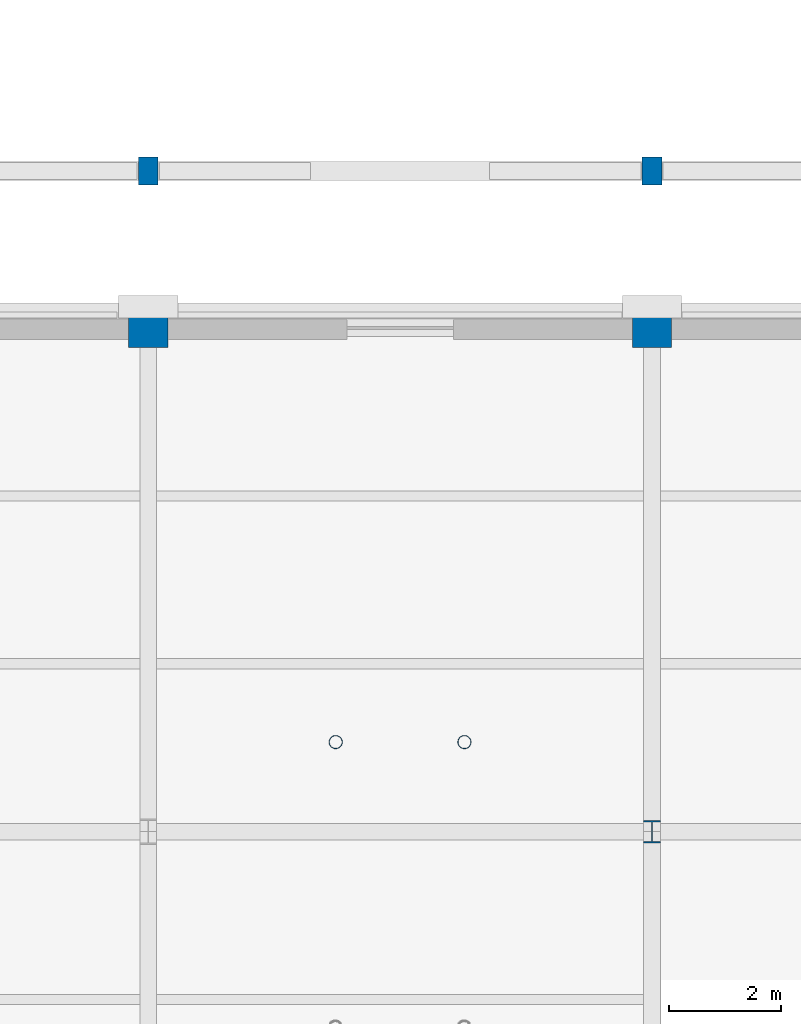
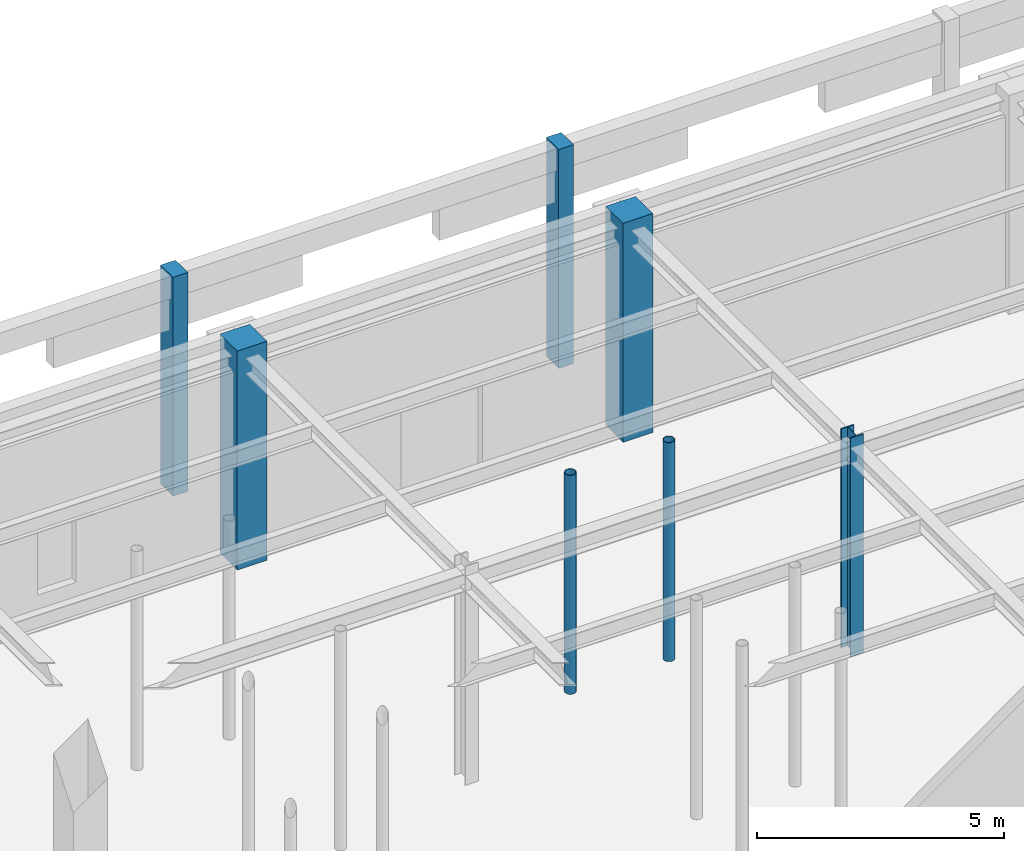
# One storey, part 10 of 77: 7 columns.
"""IFC4 building model written with IfcOpenShell, lengths in metres."""

from ifc_helpers import new_model, si_unit, direction, frame, origin, origin_2d, place, context, subcontext, project, spatial, rectangle, hollow_circle, i_section, extrude, material, material_profile, profile_set, type_object, element, save


model = new_model("IFC4")

# Units and contexts
model_context = context("Model", 3, precision=1e-05, world=origin(), true_north=direction((0.0, 1.0)))
body_context = subcontext(model_context, "Body", "Model", "MODEL_VIEW")
ifc_project = project(units=[si_unit("LENGTHUNIT", "METRE"), si_unit("AREAUNIT", "SQUARE_METRE"), si_unit("VOLUMEUNIT", "CUBIC_METRE"), si_unit("PLANEANGLEUNIT", "RADIAN"), si_unit("MASSUNIT", "GRAM", prefix="KILO")], contexts=[model_context])

# Site, building, storey
site_placement = place(None, origin())
site = spatial("IfcSite", under=ifc_project, at=site_placement, CompositionType="ELEMENT")
building_placement = place(site_placement, origin())
building = spatial("IfcBuilding", under=site, at=building_placement, Name="Lykobir Media Centre", CompositionType="ELEMENT")
storey_placement = place(building_placement, origin())
storey = spatial("IfcBuildingStorey", under=building, at=storey_placement, Name="L00", CompositionType="ELEMENT", Elevation=0.0)

# Columns
ifc_material_1 = material(Name="Honed Travertine Stone", Category="masonry")
ifc_material_profile_1 = material_profile(ifc_material_1, rectangle(XDim=0.35009765625, YDim=0.5, at=origin_2d()), Name="RC PILASTER 500x350")
ifc_profile_set_1 = profile_set([ifc_material_profile_1], Name="Honed Travertine Stone")
column_type_1 = type_object("IfcColumnType", Name="PIL-500", PredefinedType="PILASTER", material=ifc_profile_set_1)
for number, where, z_axis, x_axis, name in (
    (1, (54.0, 110.800048828125, 0.0), (0.0, 0.0, 1.0), (1.0, 0.0, 0.0), "North Revak L00 portico pier 54.0"),
    (2, (63.0, 110.800048828125, 0.0), (0.0, 0.0, 1.0), (1.0, 0.0, 0.0), "North Revak L00 portico pier 63.0"),
):
    element("IfcColumn", number, at=place(storey_placement, frame(where, z_axis=z_axis, x_axis=x_axis)), inside=storey, type_object=column_type_1, Name=name, PredefinedType="PILASTER", context=body_context, shape_type="SweptSolid", body=[
        extrude(rectangle(XDim=0.35009765625, YDim=0.5, at=origin_2d()), origin(), (0.0, 0.0, 1.0), 5.39990234375),
    ])
ifc_material_2 = material(Name="Concrete C40/50", Category="concrete")
ifc_material_profile_2 = material_profile(ifc_material_2, rectangle(XDim=0.699951171875, YDim=0.699951171875, at=origin_2d()), Name="RC 700x700")
ifc_profile_set_2 = profile_set([ifc_material_profile_2], Name="Concrete C40/50")
column_type_2 = type_object("IfcColumnType", Name="RC-C700-E", PredefinedType="COLUMN", material=ifc_profile_set_2)
for number, where, z_axis, x_axis, name in (
    (3, (54.0, 108.0, 0.0), (0.0, 0.0, 1.0), (1.0, 0.0, 0.0), "Column COL-L00-0540-1080"),
    (4, (63.0, 108.0, 0.0), (0.0, 0.0, 1.0), (1.0, 0.0, 0.0), "Column COL-L00-0630-1080"),
):
    element("IfcColumn", number, at=place(storey_placement, frame(where, z_axis=z_axis, x_axis=x_axis)), inside=storey, type_object=column_type_2, Name=name, PredefinedType="COLUMN", context=body_context, shape_type="SweptSolid", body=[
        extrude(rectangle(XDim=0.699951171875, YDim=0.699951171875, at=origin_2d()), origin(), (0.0, 0.0, 1.0), 5.39990234375),
    ])
ifc_material_3 = material(Name="Steel S355", Category="steel")
ifc_material_profile_3 = material_profile(ifc_material_3, hollow_circle(Radius=0.122314453125, WallThickness=0.012451171875, at=origin_2d()), Name="CHS 244.5x12.5")
ifc_profile_set_3 = profile_set([ifc_material_profile_3], Name="Steel S355")
column_type_3 = type_object("IfcColumnType", Name="SC-CHS244", PredefinedType="COLUMN", material=ifc_profile_set_3)
for number, where, z_axis, x_axis, name in (
    (5, (57.35009765625, 100.60009765625, 0.0), (0.0, 0.0, 1.0), (1.0, 0.0, 0.0), "Valley arrival column L00 A3-574"),
    (6, (59.64990234375, 100.60009765625, 0.0), (0.0, 0.0, 1.0), (1.0, 0.0, 0.0), "Valley arrival column L00 A3-596"),
):
    element("IfcColumn", number, at=place(storey_placement, frame(where, z_axis=z_axis, x_axis=x_axis)), inside=storey, type_object=column_type_3, Name=name, PredefinedType="COLUMN", context=body_context, shape_type="SweptSolid", body=[
        extrude(hollow_circle(Radius=0.122314453125, WallThickness=0.012451171875, at=origin_2d()), origin(), (0.0, 0.0, 1.0), 5.39990234375),
    ])
ifc_material_profile_4 = material_profile(ifc_material_3, i_section(OverallWidth=0.300048828125, OverallDepth=0.39990234375, WebThickness=0.013427734375, FlangeThickness=0.02392578125, at=origin_2d()), Name="HEB 400")
ifc_profile_set_4 = profile_set([ifc_material_profile_4], Name="Steel S355")
column_type_4 = type_object("IfcColumnType", Name="SC-HEB400", PredefinedType="COLUMN", material=ifc_profile_set_4)
column_placement = place(storey_placement, frame((63.0, 99.0, 0.0), z_axis=(0.0, 0.0, 1.0), x_axis=(1.0, 0.0, 0.0)))
element("IfcColumn", 7, at=column_placement, inside=storey, type_object=column_type_4, Name="Column COL-L00-0630-0990", PredefinedType="COLUMN", context=body_context, shape_type="SweptSolid", body=[
    extrude(i_section(OverallWidth=0.300048828125, OverallDepth=0.39990234375, WebThickness=0.013427734375, FlangeThickness=0.02392578125, at=origin_2d()), origin(), (0.0, 0.0, 1.0), 5.39990234375),
])

save(model, "model.ifc")
